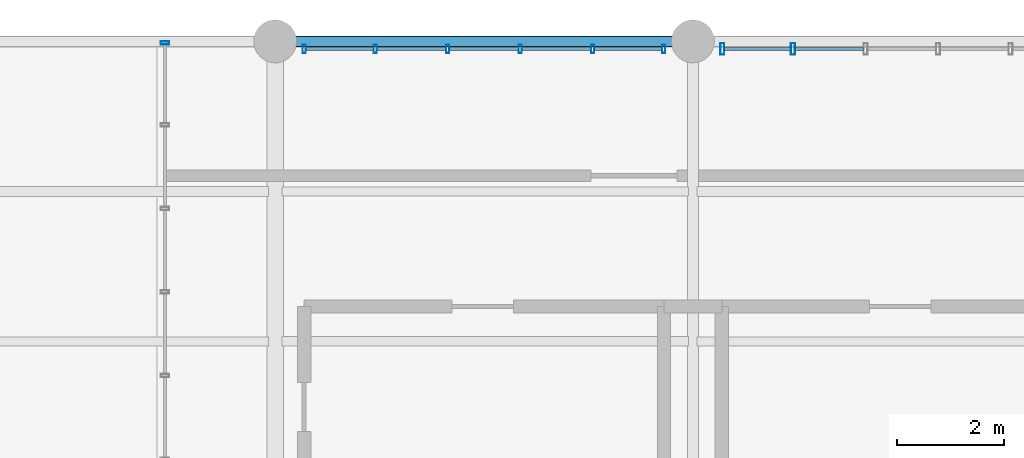
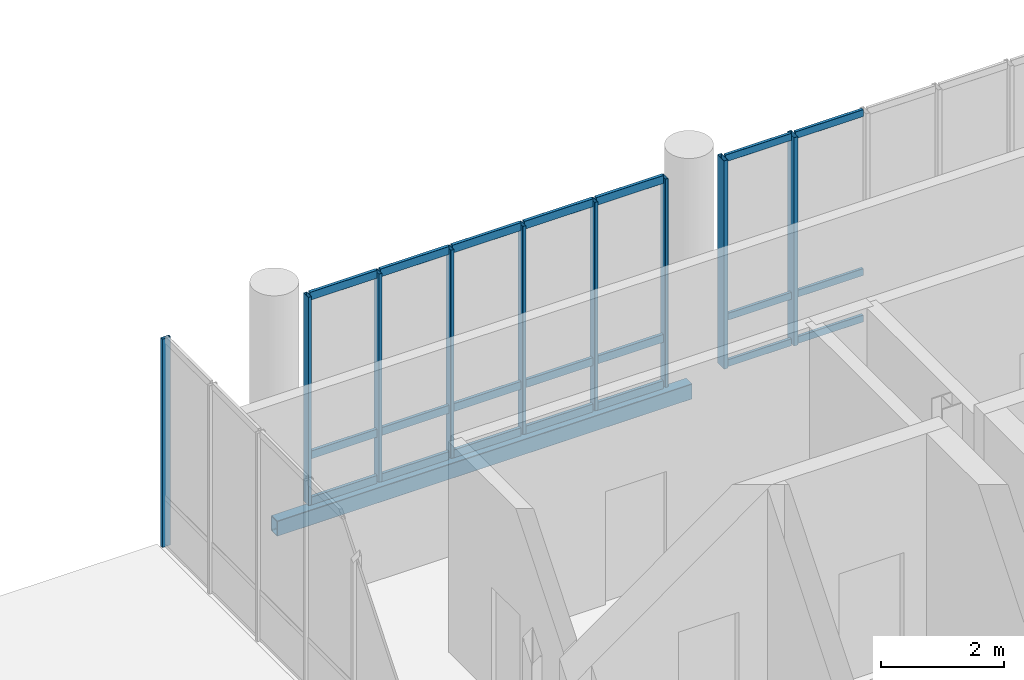
# One storey, part 48 of 68: 30 members, 1 beam, 3 elements without a shape of their own.
"""IFC4 building model written with IfcOpenShell, lengths in metres."""

from ifc_helpers import new_model, si_unit, direction, frame, origin_with_axes, origin_2d_with_axis, place, context, subcontext, project, spatial, hollow_rectangle, extrude, material, material_profile, profile_set, type_object, element, aggregate, save


model = new_model("IFC4")

# Units and contexts
model_context = context("Model", 3, precision=1e-05, world=origin_with_axes(), true_north=direction((0.0, 1.0)))
body_context = subcontext(model_context, "Body", "Model", "MODEL_VIEW")
ifc_project = project(units=[si_unit("LENGTHUNIT", "METRE"), si_unit("AREAUNIT", "SQUARE_METRE"), si_unit("VOLUMEUNIT", "CUBIC_METRE"), si_unit("PLANEANGLEUNIT", "RADIAN"), si_unit("MASSUNIT", "GRAM", prefix="KILO"), si_unit("THERMODYNAMICTEMPERATUREUNIT", "KELVIN")], contexts=[model_context])

# Site, building, storey
site_placement = place(None, origin_with_axes())
site = spatial("IfcSite", under=ifc_project, at=site_placement, CompositionType="ELEMENT")
building_placement = place(site_placement, origin_with_axes())
building = spatial("IfcBuilding", under=site, at=building_placement, Name="Montbau Bow Law Courts", CompositionType="ELEMENT")
storey_placement = place(building_placement, frame((0.0, 0.0, 20.4), z_axis=(0.0, 0.0, 1.0), x_axis=(1.0, 0.0, 0.0)))
storey = spatial("IfcBuildingStorey", under=building, at=storey_placement, Name="L04", CompositionType="ELEMENT", Elevation=20.4)

# Beam
ifc_material_1 = material(Name="Steel CSA G40.21 Grade 350WT (350 MPa)", Category="steel")
ifc_material_profile_1 = material_profile(ifc_material_1, hollow_rectangle(XDim=0.203, YDim=0.305, WallThickness=0.0127, InnerFilletRadius=0.0254, OuterFilletRadius=0.0127, at=origin_2d_with_axis()), Name="HSS305X203X13", Category="Main", Priority=0)
ifc_profile_set_1 = profile_set([ifc_material_profile_1], Name="Steel CSA G40.21 Grade 350WT (350 MPa)")
beam_type = type_object("IfcBeamType", Name="B-SPN-02", PredefinedType="SPANDREL", material=ifc_profile_set_1)
beam_placement = place(None, frame((147.0, 103.2, 20.047), z_axis=(1.0, 0.0, 0.0), x_axis=(0.0, 1.0, 0.0)))
element("IfcBeam", 1, at=beam_placement, inside=storey, type_object=beam_type, Name="SPN-L04-S1262:bm2_1265", PredefinedType="SPANDREL", context=body_context, shape_type="SweptSolid", body=[
    extrude(hollow_rectangle(XDim=0.203, YDim=0.305, WallThickness=0.0127, InnerFilletRadius=0.0254, OuterFilletRadius=0.0127, at=origin_2d_with_axis()), origin_with_axes(), (0.0, 0.0, 1.0), 7.8),
])

# Curtain wall, members
ifc_material_2 = material(Name="Thermally Broken Extruded Aluminium AA 6063-T6", Category="aluminium")
curtain_wall_type = type_object("IfcCurtainWallType", Name="CW-NCK-01", PredefinedType="NOTDEFINED", material=ifc_material_2)
curtain_wall_1_placement = place(None, frame((155.315, 103.06, 20.4), z_axis=(0.0, 0.0, 1.0), x_axis=(1.0, 0.0, 0.0)))
curtain_wall_1 = element("IfcCurtainWall", 2, at=curtain_wall_1_placement, inside=storey, type_object=curtain_wall_type, Name="CW-L04-327:cw_0327", PredefinedType="NOTDEFINED")
ifc_material_profile_2 = material_profile(ifc_material_2, hollow_rectangle(XDim=0.075, YDim=0.22, WallThickness=0.005, InnerFilletRadius=0.01, OuterFilletRadius=0.005, at=origin_2d_with_axis()), Name="CWM-220X75", Category="Main", Priority=0)
ifc_profile_set_2 = profile_set([ifc_material_profile_2], Name="Thermally Broken Extruded Aluminium AA 6063-T6")
member_type_1 = type_object("IfcMemberType", Name="M-MUL-01", PredefinedType="MULLION", material=ifc_profile_set_2)
member_1_placement = place(None, frame((155.352, 103.06, 20.4), z_axis=(0.0, 0.0, 1.0), x_axis=(1.0, 0.0, 0.0)))
member_1 = element("IfcMember", 3, at=member_1_placement, type_object=member_type_1, Name="CW-L04-327-M01:cw_0327_M01", PredefinedType="MULLION", context=body_context, shape_type="SweptSolid", body=[
    extrude(hollow_rectangle(XDim=0.075, YDim=0.22, WallThickness=0.005, InnerFilletRadius=0.01, OuterFilletRadius=0.005, at=origin_2d_with_axis()), origin_with_axes(), (0.0, 0.0, 1.0), 4.14),
])
member_2_placement = place(None, frame((156.669, 103.06, 20.4), z_axis=(0.0, 0.0, 1.0), x_axis=(1.0, 0.0, 0.0)))
member_2 = element("IfcMember", 4, at=member_2_placement, type_object=member_type_1, Name="CW-L04-327-M02:cw_0327_M02", PredefinedType="MULLION", context=body_context, shape_type="SweptSolid", body=[
    extrude(hollow_rectangle(XDim=0.075, YDim=0.22, WallThickness=0.005, InnerFilletRadius=0.01, OuterFilletRadius=0.005, at=origin_2d_with_axis()), origin_with_axes(), (0.0, 0.0, 1.0), 4.14),
])

curtain_wall_2_placement = place(None, frame((147.515, 103.06, 20.4), z_axis=(0.0, 0.0, 1.0), x_axis=(1.0, 0.0, 0.0)))
curtain_wall_2 = element("IfcCurtainWall", 5, at=curtain_wall_2_placement, inside=storey, type_object=curtain_wall_type, Name="CW-L04-326:cw_0326", PredefinedType="NOTDEFINED")
ifc_material_profile_3 = material_profile(ifc_material_2, hollow_rectangle(XDim=0.06, YDim=0.16, WallThickness=0.004, InnerFilletRadius=0.008, OuterFilletRadius=0.004, at=origin_2d_with_axis()), Name="CWM-160X60", Category="Main", Priority=0)
ifc_profile_set_3 = profile_set([ifc_material_profile_3], Name="Thermally Broken Extruded Aluminium AA 6063-T6")
member_type_2 = type_object("IfcMemberType", Name="M-MUL-03", PredefinedType="MULLION", material=ifc_profile_set_3)
member_3_placement = place(None, frame((147.545, 103.06, 20.4), z_axis=(0.0, 0.0, 1.0), x_axis=(1.0, 0.0, 0.0)))
member_3 = element("IfcMember", 6, at=member_3_placement, type_object=member_type_2, Name="CW-L04-326-M01:cw_0326_M01", PredefinedType="MULLION", context=body_context, shape_type="SweptSolid", body=[
    extrude(hollow_rectangle(XDim=0.06, YDim=0.16, WallThickness=0.004, InnerFilletRadius=0.008, OuterFilletRadius=0.004, at=origin_2d_with_axis()), origin_with_axes(), (0.0, 0.0, 1.0), 4.14),
])
member_4_placement = place(None, frame((148.869, 103.06, 20.4), z_axis=(0.0, 0.0, 1.0), x_axis=(1.0, 0.0, 0.0)))
member_4 = element("IfcMember", 7, at=member_4_placement, type_object=member_type_2, Name="CW-L04-326-M02:cw_0326_M02", PredefinedType="MULLION", context=body_context, shape_type="SweptSolid", body=[
    extrude(hollow_rectangle(XDim=0.06, YDim=0.16, WallThickness=0.004, InnerFilletRadius=0.008, OuterFilletRadius=0.004, at=origin_2d_with_axis()), origin_with_axes(), (0.0, 0.0, 1.0), 4.14),
])
member_5_placement = place(None, frame((150.223, 103.06, 20.4), z_axis=(0.0, 0.0, 1.0), x_axis=(1.0, 0.0, 0.0)))
member_5 = element("IfcMember", 8, at=member_5_placement, type_object=member_type_2, Name="CW-L04-326-M03:cw_0326_M03", PredefinedType="MULLION", context=body_context, shape_type="SweptSolid", body=[
    extrude(hollow_rectangle(XDim=0.06, YDim=0.16, WallThickness=0.004, InnerFilletRadius=0.008, OuterFilletRadius=0.004, at=origin_2d_with_axis()), origin_with_axes(), (0.0, 0.0, 1.0), 4.14),
])
member_6_placement = place(None, frame((151.577, 103.06, 20.4), z_axis=(0.0, 0.0, 1.0), x_axis=(1.0, 0.0, 0.0)))
member_6 = element("IfcMember", 9, at=member_6_placement, type_object=member_type_2, Name="CW-L04-326-M04:cw_0326_M04", PredefinedType="MULLION", context=body_context, shape_type="SweptSolid", body=[
    extrude(hollow_rectangle(XDim=0.06, YDim=0.16, WallThickness=0.004, InnerFilletRadius=0.008, OuterFilletRadius=0.004, at=origin_2d_with_axis()), origin_with_axes(), (0.0, 0.0, 1.0), 4.14),
])
member_7_placement = place(None, frame((152.931, 103.06, 20.4), z_axis=(0.0, 0.0, 1.0), x_axis=(1.0, 0.0, 0.0)))
member_7 = element("IfcMember", 10, at=member_7_placement, type_object=member_type_2, Name="CW-L04-326-M05:cw_0326_M05", PredefinedType="MULLION", context=body_context, shape_type="SweptSolid", body=[
    extrude(hollow_rectangle(XDim=0.06, YDim=0.16, WallThickness=0.004, InnerFilletRadius=0.008, OuterFilletRadius=0.004, at=origin_2d_with_axis()), origin_with_axes(), (0.0, 0.0, 1.0), 4.14),
])
member_8_placement = place(None, frame((154.255, 103.06, 20.4), z_axis=(0.0, 0.0, 1.0), x_axis=(1.0, 0.0, 0.0)))
member_8 = element("IfcMember", 11, at=member_8_placement, type_object=member_type_2, Name="CW-L04-326-M06:cw_0326_M06", PredefinedType="MULLION", context=body_context, shape_type="SweptSolid", body=[
    extrude(hollow_rectangle(XDim=0.06, YDim=0.16, WallThickness=0.004, InnerFilletRadius=0.008, OuterFilletRadius=0.004, at=origin_2d_with_axis()), origin_with_axes(), (0.0, 0.0, 1.0), 4.14),
])

# Curtain wall, member
curtain_wall_3_placement = place(None, frame((144.94, 90.72, 20.4), z_axis=(0.0, 0.0, 1.0), x_axis=(1.0, 0.0, 0.0)))
curtain_wall_3 = element("IfcCurtainWall", 12, at=curtain_wall_3_placement, inside=storey, type_object=curtain_wall_type, Name="CW-L04-329:cw_0329", PredefinedType="NOTDEFINED")
member_9_placement = place(None, frame((144.94, 103.17, 20.4), z_axis=(0.0, 0.0, 1.0), x_axis=(0.0, 1.0, 0.0)))
member_9 = element("IfcMember", 13, at=member_9_placement, type_object=member_type_2, Name="CW-L04-329-M09:cw_0329_M09", PredefinedType="MULLION", context=body_context, shape_type="SweptSolid", body=[
    extrude(hollow_rectangle(XDim=0.06, YDim=0.16, WallThickness=0.004, InnerFilletRadius=0.008, OuterFilletRadius=0.004, at=origin_2d_with_axis()), origin_with_axes(), (0.0, 0.0, 1.0), 4.14),
])
aggregate(curtain_wall_3, [member_9])

# Member
ifc_material_profile_4 = material_profile(ifc_material_2, hollow_rectangle(XDim=0.06, YDim=0.16, WallThickness=0.004, InnerFilletRadius=0.008, OuterFilletRadius=0.004, at=origin_2d_with_axis()), Name="CWT-160X60", Category="Main", Priority=0)
ifc_profile_set_4 = profile_set([ifc_material_profile_4], Name="Thermally Broken Extruded Aluminium AA 6063-T6")
member_type_3 = type_object("IfcMemberType", Name="M-TRN-01", PredefinedType="USERDEFINED", material=ifc_profile_set_4)
member_10_placement = place(None, frame((147.577, 103.06, 20.43), z_axis=(1.0, 0.0, 0.0), x_axis=(0.0, 1.0, 0.0)))
member_10 = element("IfcMember", 14, at=member_10_placement, type_object=member_type_3, Name="CW-L04-326-T01-1:cw_0326_T01_1", ObjectType="TRANSOM", PredefinedType="USERDEFINED", context=body_context, shape_type="SweptSolid", body=[
    extrude(hollow_rectangle(XDim=0.06, YDim=0.16, WallThickness=0.004, InnerFilletRadius=0.008, OuterFilletRadius=0.004, at=origin_2d_with_axis()), origin_with_axes(), (0.0, 0.0, 1.0), 1.26),
])

member_11_placement = place(None, frame((147.577, 103.06, 21.35), z_axis=(1.0, 0.0, 0.0), x_axis=(0.0, 1.0, 0.0)))
member_11 = element("IfcMember", 15, at=member_11_placement, type_object=member_type_3, Name="CW-L04-326-T01-2:cw_0326_T01_2", ObjectType="TRANSOM", PredefinedType="USERDEFINED", context=body_context, shape_type="SweptSolid", body=[
    extrude(hollow_rectangle(XDim=0.06, YDim=0.16, WallThickness=0.004, InnerFilletRadius=0.008, OuterFilletRadius=0.004, at=origin_2d_with_axis()), origin_with_axes(), (0.0, 0.0, 1.0), 1.26),
])

member_12_placement = place(None, frame((147.577, 103.06, 24.51), z_axis=(1.0, 0.0, 0.0), x_axis=(0.0, 1.0, 0.0)))
member_12 = element("IfcMember", 16, at=member_12_placement, type_object=member_type_3, Name="CW-L04-326-T01-3:cw_0326_T01_3", ObjectType="TRANSOM", PredefinedType="USERDEFINED", context=body_context, shape_type="SweptSolid", body=[
    extrude(hollow_rectangle(XDim=0.06, YDim=0.16, WallThickness=0.004, InnerFilletRadius=0.008, OuterFilletRadius=0.004, at=origin_2d_with_axis()), origin_with_axes(), (0.0, 0.0, 1.0), 1.26),
])

member_13_placement = place(None, frame((148.901, 103.06, 20.43), z_axis=(1.0, 0.0, 0.0), x_axis=(0.0, 1.0, 0.0)))
member_13 = element("IfcMember", 17, at=member_13_placement, type_object=member_type_3, Name="CW-L04-326-T02-1:cw_0326_T02_1", ObjectType="TRANSOM", PredefinedType="USERDEFINED", context=body_context, shape_type="SweptSolid", body=[
    extrude(hollow_rectangle(XDim=0.06, YDim=0.16, WallThickness=0.004, InnerFilletRadius=0.008, OuterFilletRadius=0.004, at=origin_2d_with_axis()), origin_with_axes(), (0.0, 0.0, 1.0), 1.29),
])

member_14_placement = place(None, frame((148.901, 103.06, 21.35), z_axis=(1.0, 0.0, 0.0), x_axis=(0.0, 1.0, 0.0)))
member_14 = element("IfcMember", 18, at=member_14_placement, type_object=member_type_3, Name="CW-L04-326-T02-2:cw_0326_T02_2", ObjectType="TRANSOM", PredefinedType="USERDEFINED", context=body_context, shape_type="SweptSolid", body=[
    extrude(hollow_rectangle(XDim=0.06, YDim=0.16, WallThickness=0.004, InnerFilletRadius=0.008, OuterFilletRadius=0.004, at=origin_2d_with_axis()), origin_with_axes(), (0.0, 0.0, 1.0), 1.29),
])

member_15_placement = place(None, frame((148.901, 103.06, 24.51), z_axis=(1.0, 0.0, 0.0), x_axis=(0.0, 1.0, 0.0)))
member_15 = element("IfcMember", 19, at=member_15_placement, type_object=member_type_3, Name="CW-L04-326-T02-3:cw_0326_T02_3", ObjectType="TRANSOM", PredefinedType="USERDEFINED", context=body_context, shape_type="SweptSolid", body=[
    extrude(hollow_rectangle(XDim=0.06, YDim=0.16, WallThickness=0.004, InnerFilletRadius=0.008, OuterFilletRadius=0.004, at=origin_2d_with_axis()), origin_with_axes(), (0.0, 0.0, 1.0), 1.29),
])

member_16_placement = place(None, frame((150.255, 103.06, 20.43), z_axis=(1.0, 0.0, 0.0), x_axis=(0.0, 1.0, 0.0)))
member_16 = element("IfcMember", 20, at=member_16_placement, type_object=member_type_3, Name="CW-L04-326-T03-1:cw_0326_T03_1", ObjectType="TRANSOM", PredefinedType="USERDEFINED", context=body_context, shape_type="SweptSolid", body=[
    extrude(hollow_rectangle(XDim=0.06, YDim=0.16, WallThickness=0.004, InnerFilletRadius=0.008, OuterFilletRadius=0.004, at=origin_2d_with_axis()), origin_with_axes(), (0.0, 0.0, 1.0), 1.29),
])

member_17_placement = place(None, frame((150.255, 103.06, 21.35), z_axis=(1.0, 0.0, 0.0), x_axis=(0.0, 1.0, 0.0)))
member_17 = element("IfcMember", 21, at=member_17_placement, type_object=member_type_3, Name="CW-L04-326-T03-2:cw_0326_T03_2", ObjectType="TRANSOM", PredefinedType="USERDEFINED", context=body_context, shape_type="SweptSolid", body=[
    extrude(hollow_rectangle(XDim=0.06, YDim=0.16, WallThickness=0.004, InnerFilletRadius=0.008, OuterFilletRadius=0.004, at=origin_2d_with_axis()), origin_with_axes(), (0.0, 0.0, 1.0), 1.29),
])

member_18_placement = place(None, frame((150.255, 103.06, 24.51), z_axis=(1.0, 0.0, 0.0), x_axis=(0.0, 1.0, 0.0)))
member_18 = element("IfcMember", 22, at=member_18_placement, type_object=member_type_3, Name="CW-L04-326-T03-3:cw_0326_T03_3", ObjectType="TRANSOM", PredefinedType="USERDEFINED", context=body_context, shape_type="SweptSolid", body=[
    extrude(hollow_rectangle(XDim=0.06, YDim=0.16, WallThickness=0.004, InnerFilletRadius=0.008, OuterFilletRadius=0.004, at=origin_2d_with_axis()), origin_with_axes(), (0.0, 0.0, 1.0), 1.29),
])

member_19_placement = place(None, frame((151.609, 103.06, 20.43), z_axis=(1.0, 0.0, 0.0), x_axis=(0.0, 1.0, 0.0)))
member_19 = element("IfcMember", 23, at=member_19_placement, type_object=member_type_3, Name="CW-L04-326-T04-1:cw_0326_T04_1", ObjectType="TRANSOM", PredefinedType="USERDEFINED", context=body_context, shape_type="SweptSolid", body=[
    extrude(hollow_rectangle(XDim=0.06, YDim=0.16, WallThickness=0.004, InnerFilletRadius=0.008, OuterFilletRadius=0.004, at=origin_2d_with_axis()), origin_with_axes(), (0.0, 0.0, 1.0), 1.29),
])

member_20_placement = place(None, frame((151.609, 103.06, 21.35), z_axis=(1.0, 0.0, 0.0), x_axis=(0.0, 1.0, 0.0)))
member_20 = element("IfcMember", 24, at=member_20_placement, type_object=member_type_3, Name="CW-L04-326-T04-2:cw_0326_T04_2", ObjectType="TRANSOM", PredefinedType="USERDEFINED", context=body_context, shape_type="SweptSolid", body=[
    extrude(hollow_rectangle(XDim=0.06, YDim=0.16, WallThickness=0.004, InnerFilletRadius=0.008, OuterFilletRadius=0.004, at=origin_2d_with_axis()), origin_with_axes(), (0.0, 0.0, 1.0), 1.29),
])

member_21_placement = place(None, frame((151.609, 103.06, 24.51), z_axis=(1.0, 0.0, 0.0), x_axis=(0.0, 1.0, 0.0)))
member_21 = element("IfcMember", 25, at=member_21_placement, type_object=member_type_3, Name="CW-L04-326-T04-3:cw_0326_T04_3", ObjectType="TRANSOM", PredefinedType="USERDEFINED", context=body_context, shape_type="SweptSolid", body=[
    extrude(hollow_rectangle(XDim=0.06, YDim=0.16, WallThickness=0.004, InnerFilletRadius=0.008, OuterFilletRadius=0.004, at=origin_2d_with_axis()), origin_with_axes(), (0.0, 0.0, 1.0), 1.29),
])

member_22_placement = place(None, frame((152.963, 103.06, 20.43), z_axis=(1.0, 0.0, 0.0), x_axis=(0.0, 1.0, 0.0)))
member_22 = element("IfcMember", 26, at=member_22_placement, type_object=member_type_3, Name="CW-L04-326-T05-1:cw_0326_T05_1", ObjectType="TRANSOM", PredefinedType="USERDEFINED", context=body_context, shape_type="SweptSolid", body=[
    extrude(hollow_rectangle(XDim=0.06, YDim=0.16, WallThickness=0.004, InnerFilletRadius=0.008, OuterFilletRadius=0.004, at=origin_2d_with_axis()), origin_with_axes(), (0.0, 0.0, 1.0), 1.26),
])

member_23_placement = place(None, frame((152.963, 103.06, 21.35), z_axis=(1.0, 0.0, 0.0), x_axis=(0.0, 1.0, 0.0)))
member_23 = element("IfcMember", 27, at=member_23_placement, type_object=member_type_3, Name="CW-L04-326-T05-2:cw_0326_T05_2", ObjectType="TRANSOM", PredefinedType="USERDEFINED", context=body_context, shape_type="SweptSolid", body=[
    extrude(hollow_rectangle(XDim=0.06, YDim=0.16, WallThickness=0.004, InnerFilletRadius=0.008, OuterFilletRadius=0.004, at=origin_2d_with_axis()), origin_with_axes(), (0.0, 0.0, 1.0), 1.26),
])

member_24_placement = place(None, frame((152.963, 103.06, 24.51), z_axis=(1.0, 0.0, 0.0), x_axis=(0.0, 1.0, 0.0)))
member_24 = element("IfcMember", 28, at=member_24_placement, type_object=member_type_3, Name="CW-L04-326-T05-3:cw_0326_T05_3", ObjectType="TRANSOM", PredefinedType="USERDEFINED", context=body_context, shape_type="SweptSolid", body=[
    extrude(hollow_rectangle(XDim=0.06, YDim=0.16, WallThickness=0.004, InnerFilletRadius=0.008, OuterFilletRadius=0.004, at=origin_2d_with_axis()), origin_with_axes(), (0.0, 0.0, 1.0), 1.26),
])

aggregate(curtain_wall_2, [member_3, member_4, member_5, member_6, member_7, member_8, member_10, member_11, member_12, member_13, member_14, member_15, member_16, member_17, member_18, member_19, member_20, member_21, member_22, member_23, member_24])

ifc_material_profile_5 = material_profile(ifc_material_2, hollow_rectangle(XDim=0.055, YDim=0.14, WallThickness=0.004, InnerFilletRadius=0.008, OuterFilletRadius=0.004, at=origin_2d_with_axis()), Name="CWT-140X55", Category="Main", Priority=0)
ifc_profile_set_5 = profile_set([ifc_material_profile_5], Name="Thermally Broken Extruded Aluminium AA 6063-T6")
member_type_4 = type_object("IfcMemberType", Name="M-TRN-02", PredefinedType="USERDEFINED", material=ifc_profile_set_5)
member_25_placement = place(None, frame((155.391, 103.06, 20.427), z_axis=(1.0, 0.0, 0.0), x_axis=(0.0, 1.0, 0.0)))
member_25 = element("IfcMember", 29, at=member_25_placement, type_object=member_type_4, Name="CW-L04-327-T01-1:cw_0327_T01_1", ObjectType="TRANSOM", PredefinedType="USERDEFINED", context=body_context, shape_type="SweptSolid", body=[
    extrude(hollow_rectangle(XDim=0.055, YDim=0.14, WallThickness=0.004, InnerFilletRadius=0.008, OuterFilletRadius=0.004, at=origin_2d_with_axis()), origin_with_axes(), (0.0, 0.0, 1.0), 1.239),
])

member_26_placement = place(None, frame((155.391, 103.06, 21.35), z_axis=(1.0, 0.0, 0.0), x_axis=(0.0, 1.0, 0.0)))
member_26 = element("IfcMember", 30, at=member_26_placement, type_object=member_type_4, Name="CW-L04-327-T01-2:cw_0327_T01_2", ObjectType="TRANSOM", PredefinedType="USERDEFINED", context=body_context, shape_type="SweptSolid", body=[
    extrude(hollow_rectangle(XDim=0.055, YDim=0.14, WallThickness=0.004, InnerFilletRadius=0.008, OuterFilletRadius=0.004, at=origin_2d_with_axis()), origin_with_axes(), (0.0, 0.0, 1.0), 1.239),
])

member_27_placement = place(None, frame((155.391, 103.06, 24.512), z_axis=(1.0, 0.0, 0.0), x_axis=(0.0, 1.0, 0.0)))
member_27 = element("IfcMember", 31, at=member_27_placement, type_object=member_type_4, Name="CW-L04-327-T01-3:cw_0327_T01_3", ObjectType="TRANSOM", PredefinedType="USERDEFINED", context=body_context, shape_type="SweptSolid", body=[
    extrude(hollow_rectangle(XDim=0.055, YDim=0.14, WallThickness=0.004, InnerFilletRadius=0.008, OuterFilletRadius=0.004, at=origin_2d_with_axis()), origin_with_axes(), (0.0, 0.0, 1.0), 1.239),
])

member_28_placement = place(None, frame((156.709, 103.06, 20.427), z_axis=(1.0, 0.0, 0.0), x_axis=(0.0, 1.0, 0.0)))
member_28 = element("IfcMember", 32, at=member_28_placement, type_object=member_type_4, Name="CW-L04-327-T02-1:cw_0327_T02_1", ObjectType="TRANSOM", PredefinedType="USERDEFINED", context=body_context, shape_type="SweptSolid", body=[
    extrude(hollow_rectangle(XDim=0.055, YDim=0.14, WallThickness=0.004, InnerFilletRadius=0.008, OuterFilletRadius=0.004, at=origin_2d_with_axis()), origin_with_axes(), (0.0, 0.0, 1.0), 1.275),
])

member_29_placement = place(None, frame((156.709, 103.06, 21.35), z_axis=(1.0, 0.0, 0.0), x_axis=(0.0, 1.0, 0.0)))
member_29 = element("IfcMember", 33, at=member_29_placement, type_object=member_type_4, Name="CW-L04-327-T02-2:cw_0327_T02_2", ObjectType="TRANSOM", PredefinedType="USERDEFINED", context=body_context, shape_type="SweptSolid", body=[
    extrude(hollow_rectangle(XDim=0.055, YDim=0.14, WallThickness=0.004, InnerFilletRadius=0.008, OuterFilletRadius=0.004, at=origin_2d_with_axis()), origin_with_axes(), (0.0, 0.0, 1.0), 1.275),
])

member_30_placement = place(None, frame((156.709, 103.06, 24.512), z_axis=(1.0, 0.0, 0.0), x_axis=(0.0, 1.0, 0.0)))
member_30 = element("IfcMember", 34, at=member_30_placement, type_object=member_type_4, Name="CW-L04-327-T02-3:cw_0327_T02_3", ObjectType="TRANSOM", PredefinedType="USERDEFINED", context=body_context, shape_type="SweptSolid", body=[
    extrude(hollow_rectangle(XDim=0.055, YDim=0.14, WallThickness=0.004, InnerFilletRadius=0.008, OuterFilletRadius=0.004, at=origin_2d_with_axis()), origin_with_axes(), (0.0, 0.0, 1.0), 1.275),
])

aggregate(curtain_wall_1, [member_1, member_2, member_25, member_26, member_27, member_28, member_29, member_30])

save(model, "model.ifc")
